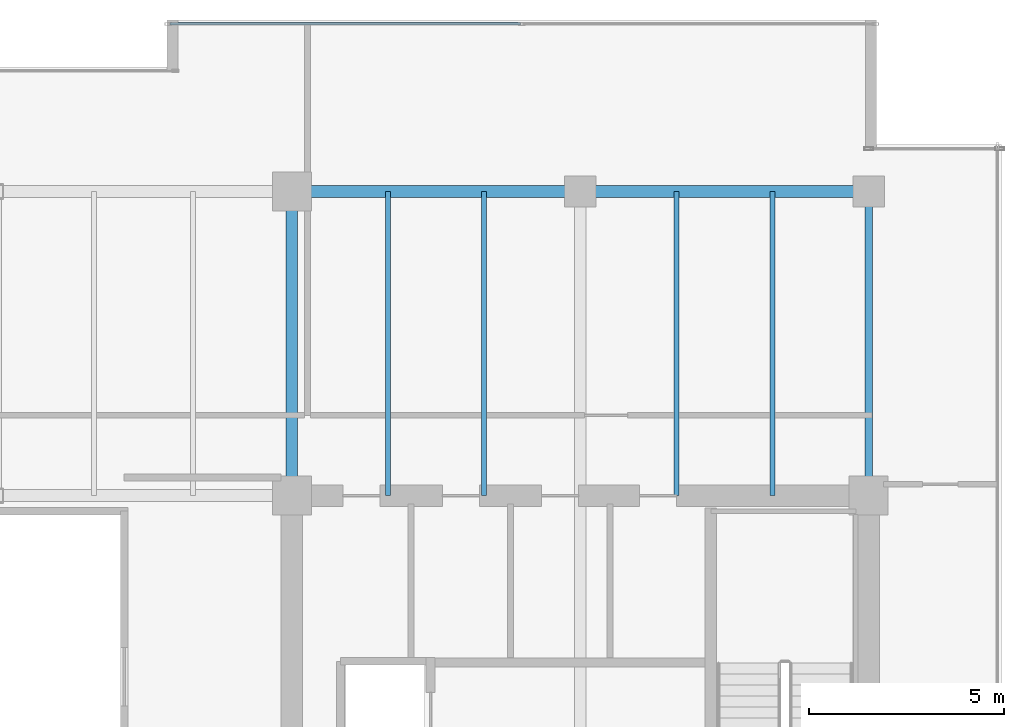
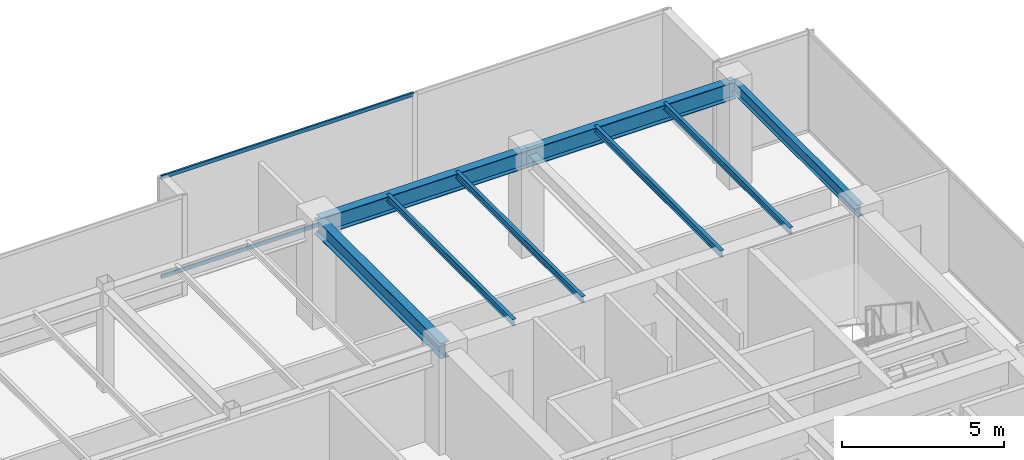
# One storey, part 20 of 33: 8 beams, 2 members, 1 element without a shape of its own.
"""IFC4 building model written with IfcOpenShell, lengths in metres."""

import ifcopenshell
import ifcopenshell.guid

model = None  # the IFC model being written
_history = None  # IfcOwnerHistory: only IFC2X3 demands one
_inside = {}  # id of a spatial element -> (the spatial element, [elements in it])
_under = {}  # id of a project, library or spatial element -> (it, [spatial elements below it])
_declared = {}  # id of a project -> (the project, [libraries it declares])
_typed = {}  # id of a type object -> (the type object, [elements of that type])
_made_of = {}  # id of a material, layer set ... -> (it, [elements and type objects made of it])


def new_model(schema):
    """Start an empty IFC model of exactly this schema.

    Asked for "IFC4X3", IfcOpenShell would pick the latest addendum, in which some entities
    have other attributes; the version numbers below select the first issue.
    IFC2X3 requires an IfcOwnerHistory on every rooted entity: one is made here for all.
    """
    global model, _history
    if schema == "IFC4X3":
        model = ifcopenshell.file(schema_version=(4, 3, 0, 0))
    else:
        model = ifcopenshell.file(schema=schema)
    _inside.clear()
    _under.clear()
    _declared.clear()
    _typed.clear()
    _made_of.clear()
    _history = None
    if model.schema == "IFC2X3":
        org = make("IfcOrganization", Name="unknown")
        user = make(
            "IfcPersonAndOrganization",
            ThePerson=make("IfcPerson", FamilyName="unknown"),
            TheOrganization=org,
        )
        app = make(
            "IfcApplication",
            ApplicationDeveloper=org,
            Version="unknown",
            ApplicationFullName="unknown",
            ApplicationIdentifier="unknown",
        )
        _history = make(
            "IfcOwnerHistory",
            OwningUser=user,
            OwningApplication=app,
            ChangeAction="ADDED",
            CreationDate=0,
        )
    return model


def make(cls, **values):
    """One entity of the class cls with the attributes given. An attribute that is None is left unset."""
    return model.create_entity(
        cls, **{name: value for name, value in values.items() if value is not None}
    )


def rooted(cls, **values):
    """An entity with a GlobalId (a new one), such as an element, a storey or a relation."""
    return make(cls, GlobalId=ifcopenshell.guid.new(), OwnerHistory=_history, **values)


def si_unit(unit_type, name, prefix=None):
    """IfcSIUnit, for example si_unit("LENGTHUNIT", "METRE", prefix="MILLI")."""
    return make("IfcSIUnit", UnitType=unit_type, Prefix=prefix, Name=name)


def assignment(units):
    """IfcUnitAssignment: the units of a project."""
    return None if units is None else make("IfcUnitAssignment", Units=units)


def point(xyz):
    """IfcCartesianPoint."""
    return None if xyz is None else make("IfcCartesianPoint", Coordinates=xyz)


def direction(xyz):
    """IfcDirection."""
    return None if xyz is None else make("IfcDirection", DirectionRatios=xyz)


def frame(location, z_axis=None, x_axis=None):
    """IfcAxis2Placement3D, a coordinate frame: its origin and axes. An axis left out is left unset."""
    return make(
        "IfcAxis2Placement3D",
        Location=point(location),
        Axis=direction(z_axis),
        RefDirection=direction(x_axis),
    )


def frame_2d(location, x_axis=None):
    """IfcAxis2Placement2D, a coordinate frame in the plane: its origin and x axis."""
    return make(
        "IfcAxis2Placement2D", Location=point(location), RefDirection=direction(x_axis)
    )


def origin():
    """The frame at (0, 0, 0) with its axes left unset."""
    return frame((0.0, 0.0, 0.0))


def origin_2d():
    """The frame at (0, 0) in the plane with its x axis left unset."""
    return frame_2d((0.0, 0.0))


def place(relative_to, where):
    """IfcLocalPlacement: puts the frame where relative to a parent placement (None: the world)."""
    return make(
        "IfcLocalPlacement", PlacementRelTo=relative_to, RelativePlacement=where
    )


def context(
    kind, dimensions, precision=None, world=None, true_north=None, identifier=None
):
    """IfcGeometricRepresentationContext, for example the 3D "Model" context."""
    return make(
        "IfcGeometricRepresentationContext",
        ContextIdentifier=identifier,
        ContextType=kind,
        CoordinateSpaceDimension=dimensions,
        Precision=precision,
        WorldCoordinateSystem=world,
        TrueNorth=true_north,
    )


def subcontext(parent, identifier, kind, view, scale=None):
    """IfcGeometricRepresentationSubContext, for example "Body" below "Model"."""
    return make(
        "IfcGeometricRepresentationSubContext",
        ContextIdentifier=identifier,
        ContextType=kind,
        ParentContext=parent,
        TargetScale=scale,
        TargetView=view,
    )


def project(units=None, contexts=None):
    """IfcProject with its units and contexts."""
    return rooted(
        "IfcProject",
        Name="project",
        RepresentationContexts=contexts,
        UnitsInContext=assignment(units),
    )


def spatial(cls, under=None, at=None, **own):
    """A site, building, storey or space (cls), placed at a placement, below another one or the project."""
    s = rooted(cls, ObjectPlacement=at, **own)
    if under is not None:
        _under.setdefault(under.id(), (under, []))[1].append(s)
    return s


def profile(cls, at=None, kind="AREA", **sizes):
    """A parametric profile (cls). Its sizes go by their IFC names, for example OverallWidth=200.0."""
    return make(cls, ProfileType=kind, Position=at, **sizes)


def hollow_rectangle(**sizes):
    """IfcRectangleHollowProfileDef."""
    return profile("IfcRectangleHollowProfileDef", **sizes)


def i_section(**sizes):
    """IfcIShapeProfileDef."""
    return profile("IfcIShapeProfileDef", **sizes)


def extrude(swept, where, along, depth):
    """IfcExtrudedAreaSolid: the profile swept, set in the frame where, extruded along a direction by depth."""
    return make(
        "IfcExtrudedAreaSolid",
        SweptArea=swept,
        Position=where,
        ExtrudedDirection=direction(along),
        Depth=depth,
    )


def shape(context_of_items, identifier, shape_type, items):
    """IfcShapeRepresentation: the items that make up one representation, for example the "Body"."""
    return make(
        "IfcShapeRepresentation",
        ContextOfItems=context_of_items,
        RepresentationIdentifier=identifier,
        RepresentationType=shape_type,
        Items=items,
    )


def source(mapping_origin, context_of_items, identifier, shape_type, items):
    """IfcRepresentationMap: a shape defined once, which mapped items show again and again."""
    return make(
        "IfcRepresentationMap",
        MappingOrigin=mapping_origin,
        MappedRepresentation=shape(context_of_items, identifier, shape_type, items),
    )


def transform(
    local_origin,
    x_axis=None,
    y_axis=None,
    z_axis=None,
    scale=None,
    scale2=None,
    scale3=None,
    uniform=True,
):
    """IfcCartesianTransformationOperator3D, or its non-uniform kind. x_axis, y_axis, z_axis: its Axis1, 2, 3."""
    if uniform:
        return make(
            "IfcCartesianTransformationOperator3D",
            Axis1=direction(x_axis),
            Axis2=direction(y_axis),
            LocalOrigin=point(local_origin),
            Scale=scale,
            Axis3=direction(z_axis),
        )
    return make(
        "IfcCartesianTransformationOperator3DnonUniform",
        Axis1=direction(x_axis),
        Axis2=direction(y_axis),
        LocalOrigin=point(local_origin),
        Scale=scale,
        Axis3=direction(z_axis),
        Scale2=scale2,
        Scale3=scale3,
    )


def mapped(mapping_source, mapping_target):
    """IfcMappedItem: shows the shape of a source again, moved by a transform."""
    return make(
        "IfcMappedItem", MappingSource=mapping_source, MappingTarget=mapping_target
    )


def material(Name=None, Category=None):
    """IfcMaterial."""
    return make("IfcMaterial", Name=Name, Category=Category)


def layer(
    of_material, thickness, ventilated=None, Name=None, Category=None, Priority=None
):
    """IfcMaterialLayer: one layer of a wall or slab, of a material (None: an air gap)."""
    return make(
        "IfcMaterialLayer",
        Material=of_material,
        LayerThickness=thickness,
        IsVentilated=ventilated,
        Name=Name,
        Category=Category,
        Priority=Priority,
    )


def layer_set(layers, Name=None):
    """IfcMaterialLayerSet."""
    return make("IfcMaterialLayerSet", MaterialLayers=layers, LayerSetName=Name)


def material_profile(
    of_material, cross_section, Name=None, Category=None, Priority=None
):
    """IfcMaterialProfile: a cross section and its material."""
    return make(
        "IfcMaterialProfile",
        Name=Name,
        Material=of_material,
        Profile=cross_section,
        Priority=Priority,
        Category=Category,
    )


def profile_set(profiles, Name=None, composite=None):
    """IfcMaterialProfileSet."""
    return make(
        "IfcMaterialProfileSet",
        Name=Name,
        MaterialProfiles=profiles,
        CompositeProfile=composite,
    )


def made_of(thing, what):
    """Note that an element or type object is made of a material, layer set ...; save() writes the relation."""
    if what is not None:
        _made_of.setdefault(what.id(), (what, []))[1].append(thing)
    return thing


def type_object(cls, material=None, **own):
    """A type object (cls), such as IfcWallType, which elements share."""
    return made_of(rooted(cls, **own), material)


def type_shapes(of_type, sources):
    """Give a type object the sources (RepresentationMaps) that its elements show as mapped items."""
    of_type.RepresentationMaps = sources


def element(
    cls,
    number,
    at=None,
    inside=None,
    cuts=None,
    type_object=None,
    material=None,
    context=None,
    identifier="Body",
    shape_type=None,
    held_by="IfcProductDefinitionShape",
    body=None,
    shapes=None,
    **own,
):
    """One element of the class cls, such as IfcWall. Its Tag is "e" and its number.

    at: its placement. inside: the storey or other place that contains it. cuts: it is an
    opening in that element (IfcRelVoidsElement). A single representation is given by context,
    identifier, shape_type and body (its items); several are given by shapes. held_by: the class
    of the entity that holds the representations. save() writes the other relations.
    """
    e = rooted(cls, Tag="e%d" % number, ObjectPlacement=at, **own)
    if body is not None:
        shapes = [shape(context, identifier, shape_type, body)]
    if shapes is not None:
        e.Representation = make(held_by, Representations=shapes)
    if inside is not None:
        _inside.setdefault(inside.id(), (inside, []))[1].append(e)
    if cuts is not None:
        rooted(
            "IfcRelVoidsElement", RelatingBuildingElement=cuts, RelatedOpeningElement=e
        )
    if type_object is not None:
        _typed.setdefault(type_object.id(), (type_object, []))[1].append(e)
    return made_of(e, material)


def aggregate(whole, parts):
    """IfcRelAggregates: a whole, such as a stair, and the parts it consists of."""
    return rooted("IfcRelAggregates", RelatingObject=whole, RelatedObjects=parts)


def save(model, path):
    """Write the relations noted so far, then the file.

    IfcRelAggregates (storeys below a building ...), IfcRelContainedInSpatialStructure (elements
    in a storey), IfcRelDefinesByType, IfcRelAssociatesMaterial and IfcRelDeclares: one each for
    every whole, place, type object, material and project.
    """
    for whole, parts in _under.values():
        aggregate(whole, parts)
    for where, things in _inside.values():
        rooted(
            "IfcRelContainedInSpatialStructure",
            RelatedElements=things,
            RelatingStructure=where,
        )
    for kind, things in _typed.values():
        rooted("IfcRelDefinesByType", RelatedObjects=things, RelatingType=kind)
    for what, things in _made_of.values():
        rooted("IfcRelAssociatesMaterial", RelatedObjects=things, RelatingMaterial=what)
    for by, libraries in _declared.values():
        rooted("IfcRelDeclares", RelatingContext=by, RelatedDefinitions=libraries)
    model.write(path)


model = new_model("IFC4")

# Units and contexts
model_context = context("Model", 3, precision=1e-05, world=origin(), true_north=direction((0.0, 1.0)))
body_context = subcontext(model_context, "Body", "Model", "MODEL_VIEW")
ifc_project = project(units=[si_unit("LENGTHUNIT", "METRE"), si_unit("AREAUNIT", "SQUARE_METRE"), si_unit("VOLUMEUNIT", "CUBIC_METRE"), si_unit("PLANEANGLEUNIT", "RADIAN"), si_unit("MASSUNIT", "GRAM", prefix="KILO")], contexts=[model_context])

# Site, building, storey
site_placement = place(None, origin())
site = spatial("IfcSite", under=ifc_project, at=site_placement, CompositionType="ELEMENT")
building_placement = place(site_placement, origin())
building = spatial("IfcBuilding", under=site, at=building_placement, Name="Haelvirn Gate Laboratories", CompositionType="ELEMENT")
storey_placement = place(building_placement, frame((0.0, 0.0, 275.199951171875)))
storey = spatial("IfcBuildingStorey", under=building, at=storey_placement, Name="L66", CompositionType="ELEMENT", Elevation=275.199951171875)

# Beams
ifc_material_1 = material(Name="Steel SM355", Category="steel")
ifc_material_profile_1 = material_profile(ifc_material_1, i_section(OverallWidth=0.300048828125, OverallDepth=0.587890625, WebThickness=0.011962890625, FlangeThickness=0.02001953125, at=origin_2d()), Name="H-588x300x12x20")
ifc_profile_set_1 = profile_set([ifc_material_profile_1], Name="Steel SM355")
beam_type_1 = type_object("IfcBeamType", Name="BM-G-588", PredefinedType="BEAM", material=ifc_profile_set_1)
shared_shape_1 = source(origin(), body_context, "Body", "SweptSolid", [
    extrude(i_section(OverallWidth=0.300048828125, OverallDepth=0.587890625, WebThickness=0.011962890625, FlangeThickness=0.02001953125, at=origin_2d()), origin(), (0.0, 0.0, 1.0), 7.800048828125),
])
type_shapes(beam_type_1, [shared_shape_1])
beam_1_placement = place(storey_placement, frame((52.60009765625, 33.800048828125, 3.506103515625), z_axis=(0.0, 1.0, 0.0), x_axis=(-1.0, 0.0, 0.0)))
element("IfcBeam", 1, at=beam_1_placement, inside=storey, type_object=beam_type_1, Name="L66 Frame Girder X52.6 (33.8-41.6)", PredefinedType="BEAM", context=body_context, shape_type="MappedRepresentation", body=[
    mapped(shared_shape_1, transform((0.0, 0.0, 0.0), scale=1.0)),
])
ifc_material_profile_2 = material_profile(ifc_material_1, i_section(OverallWidth=0.300048828125, OverallDepth=0.64990234375, WebThickness=0.012939453125, FlangeThickness=0.02197265625, at=origin_2d()), Name="H-650x300x13x22")
ifc_profile_set_2 = profile_set([ifc_material_profile_2], Name="Steel SM355")
beam_type_2 = type_object("IfcBeamType", Name="BM-G-650", PredefinedType="BEAM", material=ifc_profile_set_2)
shared_shape_2 = source(origin(), body_context, "Body", "SweptSolid", [
    extrude(i_section(OverallWidth=0.300048828125, OverallDepth=0.64990234375, WebThickness=0.012939453125, FlangeThickness=0.02197265625, at=origin_2d()), origin(), (0.0, 0.0, 1.0), 7.39990234375),
])
type_shapes(beam_type_2, [shared_shape_2])
for number, where, z_axis, x_axis, name in (
    (2, (52.60009765625, 41.60009765625, 3.47509765625), (1.0, 0.0, 0.0), (0.0, 1.0, 0.0), "L66 Primary Girder Y41.6 (52.6-60.0)"),
    (3, (60.0, 41.60009765625, 3.47509765625), (1.0, 0.0, 0.0), (0.0, 1.0, 0.0), "L66 Primary Girder Y41.6 (60.0-67.4)"),
):
    element("IfcBeam", number, at=place(storey_placement, frame(where, z_axis=z_axis, x_axis=x_axis)), inside=storey, type_object=beam_type_2, Name=name, PredefinedType="BEAM", context=body_context, shape_type="MappedRepresentation", body=[
        mapped(shared_shape_2, transform((0.0, 0.0, 0.0), scale=1.0)),
    ])
ifc_material_profile_3 = material_profile(ifc_material_1, i_section(OverallWidth=0.199951171875, OverallDepth=0.449951171875, WebThickness=0.009033203125, FlangeThickness=0.013916015625, at=origin_2d()), Name="H-450x200x9x14")
ifc_profile_set_3 = profile_set([ifc_material_profile_3], Name="Steel SM355")
beam_type_3 = type_object("IfcBeamType", Name="BM-SP-450", PredefinedType="SPANDREL", material=ifc_profile_set_3)
shared_shape_3 = source(origin(), body_context, "Body", "SweptSolid", [
    extrude(i_section(OverallWidth=0.199951171875, OverallDepth=0.449951171875, WebThickness=0.009033203125, FlangeThickness=0.013916015625, at=origin_2d()), origin(), (0.0, 0.0, 1.0), 7.800048828125),
])
type_shapes(beam_type_3, [shared_shape_3])
beam_2_placement = place(storey_placement, frame((67.39990234375, 33.800048828125, 3.574951171875), z_axis=(0.0, 1.0, 0.0), x_axis=(-1.0, 0.0, 0.0)))
element("IfcBeam", 4, at=beam_2_placement, inside=storey, type_object=beam_type_3, Name="L66 Perimeter Spandrel X67.4 (33.8-41.6)", PredefinedType="SPANDREL", context=body_context, shape_type="MappedRepresentation", body=[
    mapped(shared_shape_3, transform((0.0, 0.0, 0.0), scale=1.0)),
])
ifc_material_profile_4 = material_profile(ifc_material_1, i_section(OverallWidth=0.125, OverallDepth=0.25, WebThickness=0.006103515625, FlangeThickness=0.009033203125, at=origin_2d()), Name="H-250x125x6x9")
ifc_profile_set_4 = profile_set([ifc_material_profile_4], Name="Steel SM355")
beam_type_4 = type_object("IfcBeamType", Name="BM-J-250", PredefinedType="JOIST", material=ifc_profile_set_4)
shared_shape_4 = source(origin(), body_context, "Body", "SweptSolid", [
    extrude(i_section(OverallWidth=0.125, OverallDepth=0.25, WebThickness=0.006103515625, FlangeThickness=0.009033203125, at=origin_2d()), origin(), (0.0, 0.0, 1.0), 7.800048828125),
])
type_shapes(beam_type_4, [shared_shape_4])
for number, where, z_axis, x_axis, name in (
    (5, (55.070068359375, 33.800048828125, 3.675048828125), (0.0, 1.0, 0.0), (-1.0, 0.0, 0.0), "L66 Composite Lab Joist North X55.07"),
    (6, (57.530029296875, 33.800048828125, 3.675048828125), (0.0, 1.0, 0.0), (-1.0, 0.0, 0.0), "L66 Composite Lab Joist North X57.53"),
    (7, (62.469970703125, 33.800048828125, 3.675048828125), (0.0, 1.0, 0.0), (-1.0, 0.0, 0.0), "L66 Composite Lab Joist North X62.47"),
    (8, (64.929931640625, 33.800048828125, 3.675048828125), (0.0, 1.0, 0.0), (-1.0, 0.0, 0.0), "L66 Composite Lab Joist North X64.93"),
):
    element("IfcBeam", number, at=place(storey_placement, frame(where, z_axis=z_axis, x_axis=x_axis)), inside=storey, type_object=beam_type_4, Name=name, PredefinedType="JOIST", context=body_context, shape_type="MappedRepresentation", body=[
        mapped(shared_shape_4, transform((0.0, 0.0, 0.0), scale=1.0)),
    ])

# Curtain wall, members
ifc_material_2 = material(Name="Anodised bronze unitised aluminium & triple low-E glass", Category="aluminium")
ifc_layer = layer(ifc_material_2, 0.176025390625, Name="CW-SYS-4")
ifc_layer_set = layer_set([ifc_layer], Name="Anodised bronze unitised aluminium & triple low-E glass")
curtain_wall_type = type_object("IfcCurtainWallType", Name="CW-SYS-4", PredefinedType="NOTDEFINED", material=ifc_layer_set)
curtain_wall_placement = place(storey_placement, origin())
curtain_wall = element("IfcCurtainWall", 9, at=curtain_wall_placement, inside=storey, type_object=curtain_wall_type, Name="L66 Unitised Curtain Wall CW-L66-P0-E10-1", PredefinedType="NOTDEFINED")
ifc_material_3 = material(Name="Extruded aluminium 6063-T6 (anodised bronze)", Category="aluminium")
ifc_material_profile_5 = material_profile(ifc_material_3, hollow_rectangle(XDim=0.06494140625, YDim=0.139892578125, WallThickness=0.00390625, at=origin_2d()), Name="CWT-140x65x4")
ifc_profile_set_5 = profile_set([ifc_material_profile_5], Name="Extruded aluminium 6063-T6 (anodised bronze)")
member_type = type_object("IfcMemberType", Name="CWT-T140", PredefinedType="USERDEFINED", material=ifc_profile_set_5)
shared_shape_5 = source(origin(), body_context, "Body", "SweptSolid", [
    extrude(hollow_rectangle(XDim=0.06494140625, YDim=0.139892578125, WallThickness=0.00390625, at=origin_2d()), origin(), (0.0, 0.0, 1.0), 8.9951171875),
])
type_shapes(member_type, [shared_shape_5])
member_1_placement = place(storey_placement, frame((49.469970703125, 45.89990234375, 0.032470703125), z_axis=(1.0, 0.0, 0.0), x_axis=(0.0, 1.0, 0.0)))
member_1 = element("IfcMember", 10, at=member_1_placement, type_object=member_type, Name="CW4 transom 1.1", ObjectType="TRANSOM", PredefinedType="USERDEFINED", context=body_context, shape_type="MappedRepresentation", body=[
    mapped(shared_shape_5, transform((0.0, 0.0, 0.0), scale=1.0)),
])
member_2_placement = place(storey_placement, frame((49.469970703125, 45.89990234375, 3.767578125), z_axis=(1.0, 0.0, 0.0), x_axis=(0.0, 1.0, 0.0)))
member_2 = element("IfcMember", 11, at=member_2_placement, type_object=member_type, Name="CW4 transom 1.2", ObjectType="TRANSOM", PredefinedType="USERDEFINED", context=body_context, shape_type="MappedRepresentation", body=[
    mapped(shared_shape_5, transform((0.0, 0.0, 0.0), scale=1.0)),
])
aggregate(curtain_wall, [member_1, member_2])

save(model, "model.ifc")
